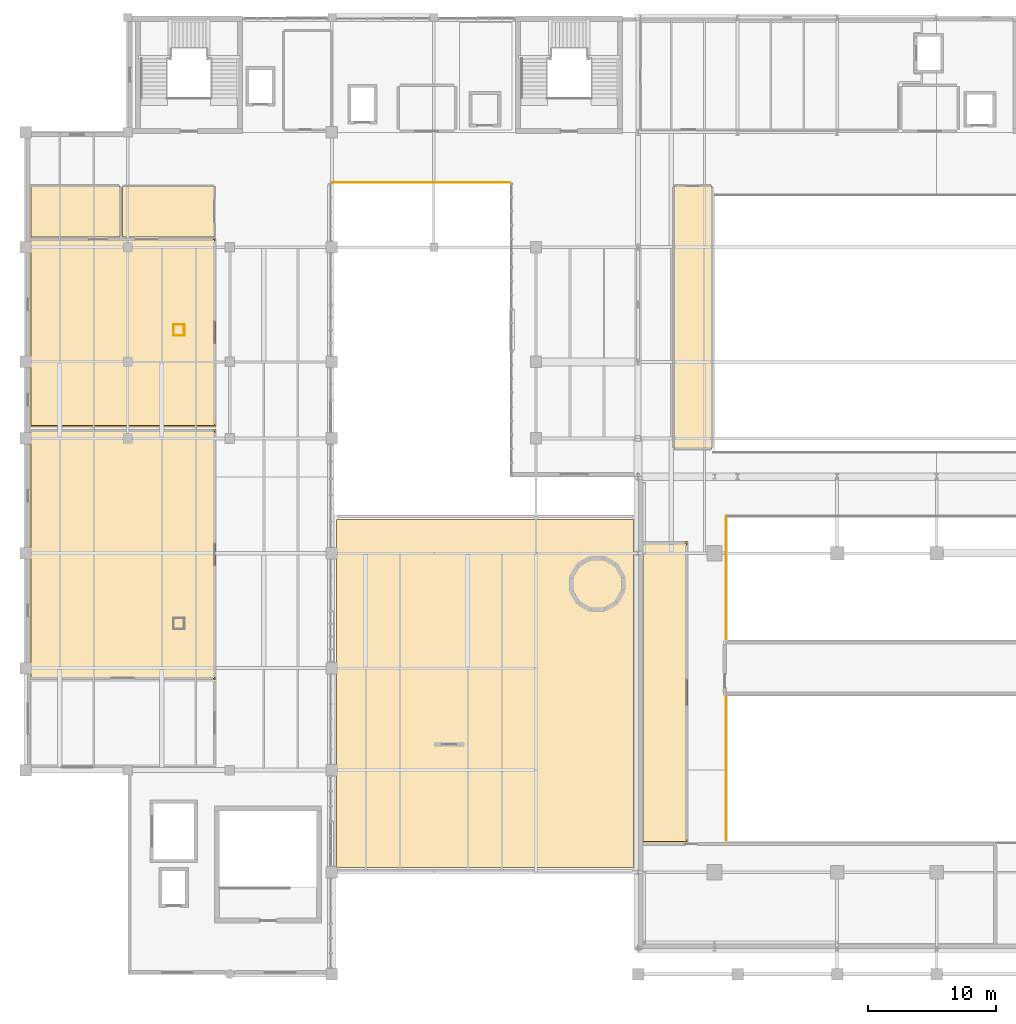
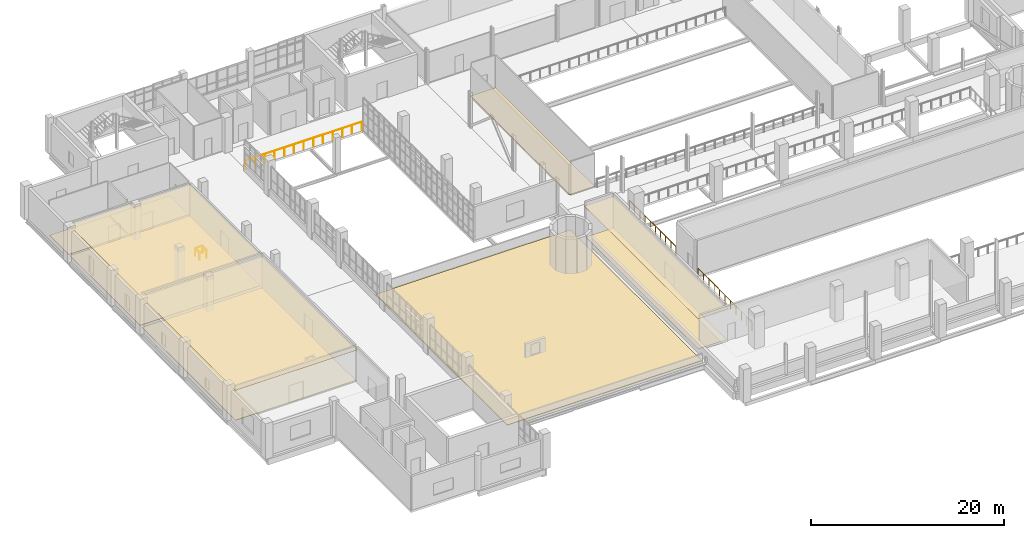
# One storey, part 83 of 85: 10 coverings, 7 railings.
"""IFC4 building model written with IfcOpenShell, lengths in metres."""

from ifc_helpers import new_model, si_unit, derived_unit, direction, frame, origin, origin_2d, place, context, subcontext, project, spatial, polyline, circle, outline, extrude, material, layer, layer_set, type_object, element, save


model = new_model("IFC4")

# Units and contexts
model_context = context("Model", 3, precision=1e-05, world=origin(), true_north=direction((0.0, 1.0)))
body_context = subcontext(model_context, "Body", "Model", "MODEL_VIEW")
ifc_project = project(units=[si_unit("LENGTHUNIT", "METRE"), si_unit("AREAUNIT", "SQUARE_METRE"), si_unit("VOLUMEUNIT", "CUBIC_METRE"), si_unit("PLANEANGLEUNIT", "RADIAN"), si_unit("MASSUNIT", "GRAM", prefix="KILO"), derived_unit("THERMALTRANSMITTANCEUNIT", [(si_unit("POWERUNIT", "WATT"), 1), (si_unit("LENGTHUNIT", "METRE"), -2), (si_unit("THERMODYNAMICTEMPERATUREUNIT", "KELVIN"), -1)])], contexts=[model_context])

# Site, building, storey
site_placement = place(None, origin())
site = spatial("IfcSite", under=ifc_project, at=site_placement, CompositionType="ELEMENT")
building_placement = place(site_placement, origin())
building = spatial("IfcBuilding", under=site, at=building_placement, Name="Nallur Shell Playhouse", CompositionType="ELEMENT")
storey_placement = place(building_placement, frame((0.0, 0.0, 19.800048828125)))
storey = spatial("IfcBuildingStorey", under=building, at=storey_placement, Name="L05", CompositionType="ELEMENT", Elevation=19.800048828125)

# Coverings
ifc_material_1 = material(Name="Micro-Perforated Teak Veneer Acoustic Baffle Ceiling")
ifc_layer_1 = layer(ifc_material_1, 0.044921875)
ifc_layer_set_1 = layer_set([ifc_layer_1], Name="Micro-Perforated Teak Veneer Acoustic Baffle Ceiling")
covering_type_1 = type_object("IfcCoveringType", Name="CV-CEIL-AC1", PredefinedType="CEILING", material=ifc_layer_set_1)
covering_1_placement = place(storey_placement, frame((0.0, 0.0, 3.905029296875)))
element("IfcCovering", 1, at=covering_1_placement, inside=storey, type_object=covering_type_1, Name="Symphonic Orchestra Rehearsal Hall suspended acoustic ceiling", PredefinedType="CEILING", context=body_context, shape_type="SweptSolid", body=[
    extrude(outline(polyline([(30.909912109375, 31.090087890625), (16.2900390625, 31.090087890625), (16.2900390625, 50.7099609375), (30.909912109375, 50.7099609375), (30.909912109375, 31.090087890625)])), origin(), (0.0, 0.0, 1.0), 0.044921875),
])
covering_2_placement = place(storey_placement, frame((0.0, 0.0, 3.905029296875)))
element("IfcCovering", 2, at=covering_2_placement, inside=storey, type_object=covering_type_1, Name="Main Auditorium Acoustic Cloud & Winch Gallery suspended acoustic ceiling", PredefinedType="CEILING", context=body_context, shape_type="SweptSolid", body=[
    extrude(outline(polyline([(67.909912109375, 18.2900390625), (64.2900390625, 18.2900390625), (64.2900390625, 41.909912109375), (67.909912109375, 41.909912109375), (67.909912109375, 18.2900390625)])), origin(), (0.0, 0.0, 1.0), 0.044921875),
])
ifc_material_2 = material(Name="Mineral-Fibre High-NRC Suspended Ceiling Tile")
ifc_layer_2 = layer(ifc_material_2, 0.030029296875)
ifc_layer_set_2 = layer_set([ifc_layer_2], Name="Mineral-Fibre High-NRC Suspended Ceiling Tile")
covering_type_2 = type_object("IfcCoveringType", Name="CV-CEIL-AC2", PredefinedType="CEILING", material=ifc_layer_set_2)
covering_3_placement = place(storey_placement, frame((0.0, 0.0, 3.919921875)))
element("IfcCovering", 3, at=covering_3_placement, inside=storey, type_object=covering_type_2, Name="Choral & Carnatic Music Rehearsal Studio suspended acoustic ceiling", PredefinedType="CEILING", context=body_context, shape_type="SweptSolid", body=[
    extrude(outline(polyline([(30.909912109375, 50.889892578125), (16.2900390625, 50.889892578125), (16.2900390625, 65.7099609375), (30.909912109375, 65.7099609375), (30.909912109375, 50.889892578125)])), origin(), (0.0, 0.0, 1.0), 0.030029296875),
])
ifc_material_3 = material(Name="Heavy-Duty Woven Wool Auditorium Acoustic Flooring")
ifc_layer_3 = layer(ifc_material_3, 0.02001953125)
ifc_layer_set_3 = layer_set([ifc_layer_3], Name="Heavy-Duty Woven Wool Auditorium Acoustic Flooring")
covering_type_3 = type_object("IfcCoveringType", Name="CV-FLOR-CARPET", PredefinedType="FLOORING", material=ifc_layer_set_3)
covering_4_placement = place(storey_placement, origin())
element("IfcCovering", 4, at=covering_4_placement, inside=storey, type_object=covering_type_3, Name="Main Auditorium Acoustic Cloud & Winch Gallery floor finish", PredefinedType="FLOORING", context=body_context, shape_type="SweptSolid", body=[
    extrude(outline(polyline([(67.800048828125, 18.39990234375), (64.39990234375, 18.39990234375), (64.39990234375, 41.800048828125), (67.800048828125, 41.800048828125), (67.800048828125, 18.39990234375)])), origin(), (0.0, 0.0, 1.0), 0.02001953125),
])
ifc_material_4 = material(Name="Sprung Semi-Resilient Stage & Dance Hardwood Flooring", Category="wood")
ifc_layer_4 = layer(ifc_material_4, 0.054931640625)
ifc_layer_set_4 = layer_set([ifc_layer_4], Name="Sprung Semi-Resilient Stage & Dance Hardwood Flooring")
covering_type_4 = type_object("IfcCoveringType", Name="CV-FLOR-TIMBER", PredefinedType="FLOORING", material=ifc_layer_set_4)
covering_5_placement = place(storey_placement, origin())
element("IfcCovering", 5, at=covering_5_placement, inside=storey, type_object=covering_type_4, Name="Symphonic Orchestra Rehearsal Hall floor finish", PredefinedType="FLOORING", context=body_context, shape_type="SweptSolid", body=[
    extrude(outline(polyline([(30.800048828125, 31.199951171875), (16.39990234375, 31.199951171875), (16.39990234375, 50.60009765625), (30.800048828125, 50.60009765625), (30.800048828125, 31.199951171875)])), origin(), (0.0, 0.0, 1.0), 0.054931640625),
])
covering_6_placement = place(storey_placement, origin())
element("IfcCovering", 6, at=covering_6_placement, inside=storey, type_object=covering_type_4, Name="Choral & Carnatic Music Rehearsal Studio floor finish", PredefinedType="FLOORING", context=body_context, shape_type="SweptSolid", body=[
    extrude(outline(polyline([(30.800048828125, 51.0), (16.39990234375, 51.0), (16.39990234375, 65.60009765625), (30.800048828125, 65.60009765625), (30.800048828125, 51.0)])), origin(), (0.0, 0.0, 1.0), 0.054931640625),
])
covering_7_placement = place(storey_placement, origin())
element("IfcCovering", 7, at=covering_7_placement, inside=storey, type_object=covering_type_4, Name="Individual Acoustic Practice Studio 01 floor finish", PredefinedType="FLOORING", context=body_context, shape_type="SweptSolid", body=[
    extrude(outline(polyline([(23.39990234375, 65.800048828125), (16.39990234375, 65.800048828125), (16.39990234375, 69.800048828125), (23.39990234375, 69.800048828125), (23.39990234375, 65.800048828125)])), origin(), (0.0, 0.0, 1.0), 0.054931640625),
])
covering_8_placement = place(storey_placement, origin())
element("IfcCovering", 8, at=covering_8_placement, inside=storey, type_object=covering_type_4, Name="Individual Acoustic Practice Studio 02 floor finish", PredefinedType="FLOORING", context=body_context, shape_type="SweptSolid", body=[
    extrude(outline(polyline([(30.800048828125, 65.800048828125), (23.60009765625, 65.800048828125), (23.60009765625, 69.800048828125), (30.800048828125, 69.800048828125), (30.800048828125, 65.800048828125)])), origin(), (0.0, 0.0, 1.0), 0.054931640625),
])
covering_9_placement = place(storey_placement, origin())
element("IfcCovering", 9, at=covering_9_placement, inside=storey, type_object=covering_type_4, Name="Stage West Acoustic Plenum & Rigging Store floor finish", PredefinedType="FLOORING", context=body_context, shape_type="SweptSolid", body=[
    extrude(outline(polyline([(69.800048828125, 49.199951171875), (66.800048828125, 49.199951171875), (66.800048828125, 69.800048828125), (69.800048828125, 69.800048828125), (69.800048828125, 49.199951171875)])), origin(), (0.0, 0.0, 1.0), 0.054931640625),
])
ifc_material_5 = material(Name="Standing-Seam Zinc-Aluminium Acoustic Roof Build-Up", Category="aluminium")
ifc_layer_5 = layer(ifc_material_5, 0.080078125)
ifc_layer_set_5 = layer_set([ifc_layer_5], Name="Standing-Seam Zinc-Aluminium Acoustic Roof Build-Up")
covering_type_5 = type_object("IfcCoveringType", Name="CV-ROOF-MEMB2", PredefinedType="ROOFING", material=ifc_layer_set_5)
covering_10_placement = place(storey_placement, origin())
element("IfcCovering", 10, at=covering_10_placement, inside=storey, type_object=covering_type_5, Name="L05 insulated waterproof roof covering 22", PredefinedType="ROOFING", context=body_context, shape_type="SweptSolid", body=[
    extrude(outline(polyline([(63.64990234375, 43.64990234375), (63.64990234375, 16.35009765625), (40.35009765625, 16.35009765625), (40.35009765625, 43.64990234375), (63.64990234375, 43.64990234375)])), origin(), (0.0, 0.0, 1.0), 0.079833984375),
])

# Railings
ifc_material_6 = material(Name="Bronze-Anodised Foyer Void Acoustic Glass Guardrail", Category="glass")
railing_type_1 = type_object("IfcRailingType", Name="RL-BAL-1100", PredefinedType="BALUSTRADE", material=ifc_material_6)
railing_1_placement = place(storey_placement, frame((70.89990234375, 29.72412109375, 0.0)))
element("IfcRailing", 11, at=railing_1_placement, inside=storey, type_object=railing_type_1, Name="L05 interior void balustrade 029", PredefinedType="BALUSTRADE", context=body_context, shape_type="SweptSolid", body=[
    extrude(circle(Radius=0.02392578125, at=origin_2d()), frame((0.0, 0.0, 1.09619140625), z_axis=(0.0, -1.0, 0.0), x_axis=(1.0, 0.0, 0.0)), (0.0, 0.0, 1.0), 11.244140625),
    extrude(circle(Radius=0.02099609375, at=origin_2d()), origin(), (0.0, 0.0, 1.0), 1.072021484375),
    extrude(circle(Radius=0.02099609375, at=origin_2d()), frame((0.0, -1.12451171875, 0.0)), (0.0, 0.0, 1.0), 1.072021484375),
    extrude(circle(Radius=0.02099609375, at=origin_2d()), frame((0.0, -2.248779296875, 0.0)), (0.0, 0.0, 1.0), 1.072021484375),
    extrude(circle(Radius=0.02099609375, at=origin_2d()), frame((0.0, -3.373291015625, 0.0)), (0.0, 0.0, 1.0), 1.072021484375),
    extrude(circle(Radius=0.02099609375, at=origin_2d()), frame((0.0, -4.49755859375, 0.0)), (0.0, 0.0, 1.0), 1.072021484375),
    extrude(circle(Radius=0.02099609375, at=origin_2d()), frame((0.0, -5.6220703125, 0.0)), (0.0, 0.0, 1.0), 1.072021484375),
    extrude(circle(Radius=0.02099609375, at=origin_2d()), frame((0.0, -6.74658203125, 0.0)), (0.0, 0.0, 1.0), 1.072021484375),
    extrude(circle(Radius=0.02099609375, at=origin_2d()), frame((0.0, -7.870849609375, 0.0)), (0.0, 0.0, 1.0), 1.072021484375),
    extrude(circle(Radius=0.02099609375, at=origin_2d()), frame((0.0, -8.995361328125, 0.0)), (0.0, 0.0, 1.0), 1.072021484375),
    extrude(circle(Radius=0.02099609375, at=origin_2d()), frame((0.0, -10.11962890625, 0.0)), (0.0, 0.0, 1.0), 1.072021484375),
    extrude(circle(Radius=0.02099609375, at=origin_2d()), frame((0.0, -11.244140625, 0.0)), (0.0, 0.0, 1.0), 1.072021484375),
])
railing_2_placement = place(storey_placement, frame((70.89990234375, 43.89990234375, 0.0)))
element("IfcRailing", 12, at=railing_2_placement, inside=storey, type_object=railing_type_1, Name="L05 interior void balustrade 032", PredefinedType="BALUSTRADE", context=body_context, shape_type="SweptSolid", body=[
    extrude(circle(Radius=0.02392578125, at=origin_2d()), frame((0.0, 0.0, 1.09619140625), z_axis=(0.0, -1.0, 0.0), x_axis=(1.0, 0.0, 0.0)), (0.0, 0.0, 1.0), 9.6240234375),
    extrude(circle(Radius=0.02099609375, at=origin_2d()), origin(), (0.0, 0.0, 1.0), 1.072021484375),
    extrude(circle(Radius=0.02099609375, at=origin_2d()), frame((0.0, -1.0693359375, 0.0)), (0.0, 0.0, 1.0), 1.072021484375),
    extrude(circle(Radius=0.02099609375, at=origin_2d()), frame((0.0, -2.138671875, 0.0)), (0.0, 0.0, 1.0), 1.072021484375),
    extrude(circle(Radius=0.02099609375, at=origin_2d()), frame((0.0, -3.2080078125, 0.0)), (0.0, 0.0, 1.0), 1.072021484375),
    extrude(circle(Radius=0.02099609375, at=origin_2d()), frame((0.0, -4.27734375, 0.0)), (0.0, 0.0, 1.0), 1.072021484375),
    extrude(circle(Radius=0.02099609375, at=origin_2d()), frame((0.0, -5.3466796875, 0.0)), (0.0, 0.0, 1.0), 1.072021484375),
    extrude(circle(Radius=0.02099609375, at=origin_2d()), frame((0.0, -6.416015625, 0.0)), (0.0, 0.0, 1.0), 1.072021484375),
    extrude(circle(Radius=0.02099609375, at=origin_2d()), frame((0.0, -7.4853515625, 0.0)), (0.0, 0.0, 1.0), 1.072021484375),
    extrude(circle(Radius=0.02099609375, at=origin_2d()), frame((0.0, -8.5546875, 0.0)), (0.0, 0.0, 1.0), 1.072021484375),
    extrude(circle(Radius=0.02099609375, at=origin_2d()), frame((0.0, -9.6240234375, 0.0)), (0.0, 0.0, 1.0), 1.072021484375),
])
ifc_material_7 = material(Name="Brushed Stainless Steel 316 Balustrade & Toughened Infill", Category="steel")
railing_type_2 = type_object("IfcRailingType", Name="RL-GUARD-1100", PredefinedType="BALUSTRADE", material=ifc_material_7)
railing_3_placement = place(storey_placement, frame((53.9599609375, 70.080078125, 0.0)))
element("IfcRailing", 13, at=railing_3_placement, inside=storey, type_object=railing_type_2, Name="L05 courtyard bridge balustrade 66", PredefinedType="BALUSTRADE", context=body_context, shape_type="SweptSolid", body=[
    extrude(circle(Radius=0.02392578125, at=origin_2d()), frame((0.0, 0.0, 1.09619140625), z_axis=(-1.0, 0.0, 0.0), x_axis=(0.0, -1.0, 0.0)), (0.0, 0.0, 1.0), 13.919921875),
    extrude(circle(Radius=0.02099609375, at=origin_2d()), origin(), (0.0, 0.0, 1.0), 1.072021484375),
    extrude(circle(Radius=0.02099609375, at=origin_2d()), frame((-1.159912109375, 0.0, 0.0)), (0.0, 0.0, 1.0), 1.072021484375),
    extrude(circle(Radius=0.02099609375, at=origin_2d()), frame((-2.320068359375, 0.0, 0.0)), (0.0, 0.0, 1.0), 1.072021484375),
    extrude(circle(Radius=0.02099609375, at=origin_2d()), frame((-3.47998046875, 0.0, 0.0)), (0.0, 0.0, 1.0), 1.072021484375),
    extrude(circle(Radius=0.02099609375, at=origin_2d()), frame((-4.639892578125, 0.0, 0.0)), (0.0, 0.0, 1.0), 1.072021484375),
    extrude(circle(Radius=0.02099609375, at=origin_2d()), frame((-5.800048828125, 0.0, 0.0)), (0.0, 0.0, 1.0), 1.072021484375),
    extrude(circle(Radius=0.02099609375, at=origin_2d()), frame((-6.9599609375, 0.0, 0.0)), (0.0, 0.0, 1.0), 1.072021484375),
    extrude(circle(Radius=0.02099609375, at=origin_2d()), frame((-8.119873046875, 0.0, 0.0)), (0.0, 0.0, 1.0), 1.072021484375),
    extrude(circle(Radius=0.02099609375, at=origin_2d()), frame((-9.280029296875, 0.0, 0.0)), (0.0, 0.0, 1.0), 1.072021484375),
    extrude(circle(Radius=0.02099609375, at=origin_2d()), frame((-10.43994140625, 0.0, 0.0)), (0.0, 0.0, 1.0), 1.072021484375),
    extrude(circle(Radius=0.02099609375, at=origin_2d()), frame((-11.599853515625, 0.0, 0.0)), (0.0, 0.0, 1.0), 1.072021484375),
    extrude(circle(Radius=0.02099609375, at=origin_2d()), frame((-12.760009765625, 0.0, 0.0)), (0.0, 0.0, 1.0), 1.072021484375),
    extrude(circle(Radius=0.02099609375, at=origin_2d()), frame((-13.919921875, 0.0, 0.0)), (0.0, 0.0, 1.0), 1.072021484375),
])
railing_4_placement = place(storey_placement, frame((27.570068359375, 58.070068359375, 0.0)))
element("IfcRailing", 14, at=railing_4_placement, inside=storey, type_object=railing_type_2, Name="L05 service riser edge guard 099", PredefinedType="BALUSTRADE", context=body_context, shape_type="SweptSolid", body=[
    extrude(circle(Radius=0.02392578125, at=origin_2d()), frame((0.0, 0.0, 1.09619140625), z_axis=(1.0, 0.0, 0.0), x_axis=(0.0, 1.0, 0.0)), (0.0, 0.0, 1.0), 0.85986328125),
    extrude(circle(Radius=0.02099609375, at=origin_2d()), origin(), (0.0, 0.0, 1.0), 1.072021484375),
    extrude(circle(Radius=0.02099609375, at=origin_2d()), frame((0.85986328125, 0.0, 0.0)), (0.0, 0.0, 1.0), 1.072021484375),
])
railing_5_placement = place(storey_placement, frame((28.429931640625, 58.070068359375, 0.0)))
element("IfcRailing", 15, at=railing_5_placement, inside=storey, type_object=railing_type_2, Name="L05 service riser edge guard 100", PredefinedType="BALUSTRADE", context=body_context, shape_type="SweptSolid", body=[
    extrude(circle(Radius=0.02392578125, at=origin_2d()), frame((0.0, 0.0, 1.09619140625), z_axis=(0.0, 1.0, 0.0), x_axis=(-1.0, 0.0, 0.0)), (0.0, 0.0, 1.0), 0.85986328125),
    extrude(circle(Radius=0.02099609375, at=origin_2d()), origin(), (0.0, 0.0, 1.0), 1.072021484375),
    extrude(circle(Radius=0.02099609375, at=origin_2d()), frame((0.0, 0.85986328125, 0.0)), (0.0, 0.0, 1.0), 1.072021484375),
])
railing_6_placement = place(storey_placement, frame((28.429931640625, 58.929931640625, 0.0)))
element("IfcRailing", 16, at=railing_6_placement, inside=storey, type_object=railing_type_2, Name="L05 service riser edge guard 101", PredefinedType="BALUSTRADE", context=body_context, shape_type="SweptSolid", body=[
    extrude(circle(Radius=0.02392578125, at=origin_2d()), frame((0.0, 0.0, 1.09619140625), z_axis=(-1.0, 0.0, 0.0), x_axis=(0.0, -1.0, 0.0)), (0.0, 0.0, 1.0), 0.85986328125),
    extrude(circle(Radius=0.02099609375, at=origin_2d()), origin(), (0.0, 0.0, 1.0), 1.072021484375),
    extrude(circle(Radius=0.02099609375, at=origin_2d()), frame((-0.85986328125, 0.0, 0.0)), (0.0, 0.0, 1.0), 1.072021484375),
])
railing_7_placement = place(storey_placement, frame((27.570068359375, 58.929931640625, 0.0)))
element("IfcRailing", 17, at=railing_7_placement, inside=storey, type_object=railing_type_2, Name="L05 service riser edge guard 102", PredefinedType="BALUSTRADE", context=body_context, shape_type="SweptSolid", body=[
    extrude(circle(Radius=0.02392578125, at=origin_2d()), frame((0.0, 0.0, 1.09619140625), z_axis=(0.0, -1.0, 0.0), x_axis=(1.0, 0.0, 0.0)), (0.0, 0.0, 1.0), 0.85986328125),
    extrude(circle(Radius=0.02099609375, at=origin_2d()), origin(), (0.0, 0.0, 1.0), 1.072021484375),
    extrude(circle(Radius=0.02099609375, at=origin_2d()), frame((0.0, -0.85986328125, 0.0)), (0.0, 0.0, 1.0), 1.072021484375),
])

save(model, "model.ifc")
